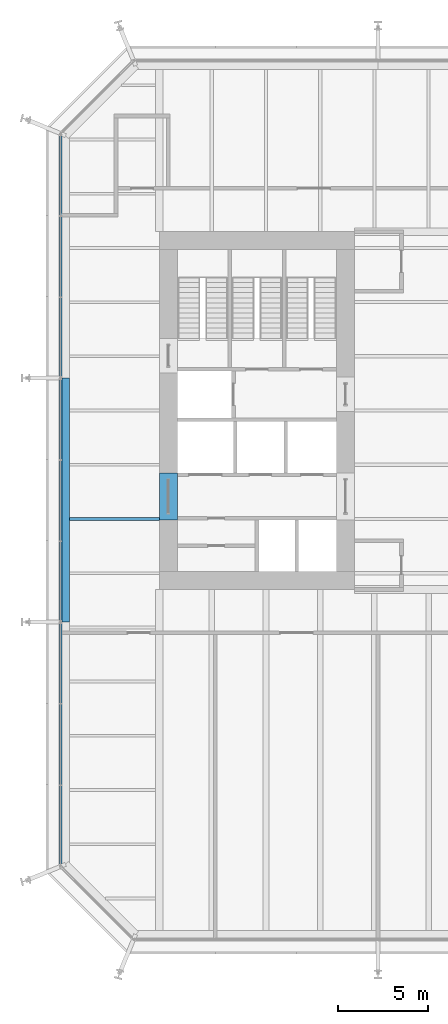
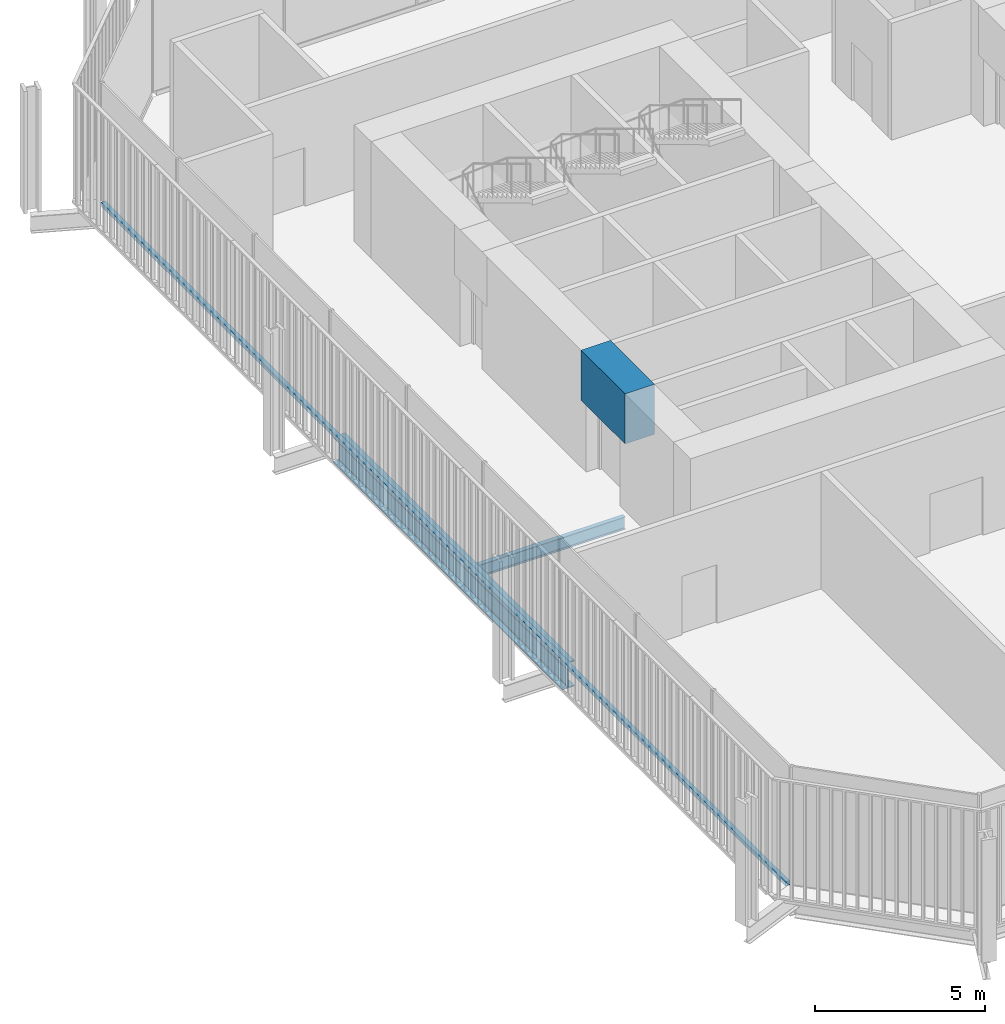
# One storey, part 6 of 20: 3 beams, 1 member, 1 element without a shape of its own.
"""IFC4 building model written with IfcOpenShell, lengths in metres."""

from ifc_helpers import new_model, si_unit, direction, frame, origin, origin_2d, place, context, subcontext, project, spatial, rectangle, i_section, extrude, material, layer, layer_set, material_profile, profile_set, type_object, element, aggregate, save


model = new_model("IFC4")

# Units and contexts
model_context = context("Model", 3, precision=1e-05, world=origin(), true_north=direction((0.0, 1.0)))
body_context = subcontext(model_context, "Body", "Model", "MODEL_VIEW")
ifc_project = project(units=[si_unit("LENGTHUNIT", "METRE"), si_unit("AREAUNIT", "SQUARE_METRE"), si_unit("VOLUMEUNIT", "CUBIC_METRE"), si_unit("PLANEANGLEUNIT", "RADIAN"), si_unit("MASSUNIT", "GRAM", prefix="KILO")], contexts=[model_context])

# Site, building, storey
site_placement = place(None, origin())
site = spatial("IfcSite", under=ifc_project, at=site_placement, CompositionType="ELEMENT")
building_placement = place(site_placement, origin())
building = spatial("IfcBuilding", under=site, at=building_placement, Name="Millrace Tower", CompositionType="ELEMENT")
storey_placement = place(building_placement, frame((0.0, 0.0, 99.60009765625)))
storey = spatial("IfcBuildingStorey", under=building, at=storey_placement, Name="L22", CompositionType="ELEMENT", Elevation=99.60009765625)

# Curtain wall, member
ifc_material_1 = material(Name="Aluminium and glass", Category="aluminium")
ifc_layer = layer(ifc_material_1, 0.14990234375)
ifc_layer_set = layer_set([ifc_layer], Name="Aluminium and glass")
curtain_wall_type = type_object("IfcCurtainWallType", Name="CW-3 telecom floor curtain wall", PredefinedType="NOTDEFINED", material=ifc_layer_set)
curtain_wall_placement = place(storey_placement, origin())
curtain_wall = element("IfcCurtainWall", 1, at=curtain_wall_placement, inside=storey, type_object=curtain_wall_type, Name="Curtain wall B-F08 L22", PredefinedType="NOTDEFINED")
ifc_material_2 = material(Name="Aluminium", Category="aluminium")
ifc_material_profile_1 = material_profile(ifc_material_2, rectangle(XDim=0.14990234375, YDim=0.14990234375, at=origin_2d()))
ifc_profile_set_1 = profile_set([ifc_material_profile_1], Name="Aluminium")
member_type = type_object("IfcMemberType", Name="CW-3 telecom floor curtain wall transom", PredefinedType="USERDEFINED", material=ifc_profile_set_1)
member_placement = place(storey_placement, frame((-20.375, 15.199951171875, 0.074951171875), z_axis=(0.0, -1.0, 0.0), x_axis=(1.0, 0.0, 0.0)))
member = element("IfcMember", 2, at=member_placement, type_object=member_type, Name="CW3 transom B-F08.1", ObjectType="TRANSOM", PredefinedType="USERDEFINED", context=body_context, shape_type="SweptSolid", body=[
    extrude(rectangle(XDim=0.14990234375, YDim=0.14990234375, at=origin_2d()), origin(), (0.0, 0.0, 1.0), 40.300048828125),
])
aggregate(curtain_wall, [member])

# Beams
ifc_material_3 = material(Name="Concrete C80", Category="concrete")
ifc_material_profile_2 = material_profile(ifc_material_3, rectangle(XDim=1.0, YDim=1.800048828125, at=origin_2d()))
ifc_profile_set_2 = profile_set([ifc_material_profile_2], Name="Concrete C80")
beam_type_1 = type_object("IfcBeamType", Name="Coupling beam 1000 x 1800 Concrete C80, 2000 opening", PredefinedType="BEAM", material=ifc_profile_set_2)
beam_1_placement = place(storey_placement, frame((-14.39990234375, -6.050048828125, 3.2998046875), z_axis=(0.0, 1.0, 0.0), x_axis=(-1.0, 0.0, 0.0)))
element("IfcBeam", 3, at=beam_1_placement, inside=storey, type_object=beam_type_1, Name="Coupling beam W L22", PredefinedType="BEAM", context=body_context, shape_type="SweptSolid", body=[
    extrude(rectangle(XDim=1.0, YDim=1.800048828125, at=origin_2d()), origin(), (0.0, 0.0, 1.0), 2.60009765625),
])
ifc_material_4 = material(Name="Steel ASTM A992 Grade 50", Category="steel")
ifc_material_profile_3 = material_profile(ifc_material_4, i_section(OverallWidth=0.15234375, OverallDepth=0.449462890625, WebThickness=0.007568359375, FlangeThickness=0.0107421875, FilletRadius=0.01025390625, at=origin_2d()))
ifc_profile_set_3 = profile_set([ifc_material_profile_3], Name="Steel ASTM A992 Grade 50")
beam_type_2 = type_object("IfcBeamType", Name="Floor beam W18x35", PredefinedType="JOIST", material=ifc_profile_set_3)
beam_2_placement = place(storey_placement, frame((-19.880859375, -6.0, -0.4248046875), z_axis=(1.0, 0.0, 0.0), x_axis=(0.0, 1.0, 0.0)))
element("IfcBeam", 4, at=beam_2_placement, inside=storey, type_object=beam_type_2, Name="BM-B-L22-S1-S017", PredefinedType="JOIST", context=body_context, shape_type="SweptSolid", body=[
    extrude(i_section(OverallWidth=0.15234375, OverallDepth=0.449462890625, WebThickness=0.007568359375, FlangeThickness=0.0107421875, FilletRadius=0.01025390625, at=origin_2d()), origin(), (0.0, 0.0, 1.0), 4.98095703125),
])
ifc_material_5 = material(Name="Steel ASTM A992 Grade 50", Category="steel")
ifc_material_profile_4 = material_profile(ifc_material_5, i_section(OverallWidth=0.419189453125, OverallDepth=0.927001953125, WebThickness=0.019287109375, FlangeThickness=0.031982421875, FilletRadius=0.024169921875, at=origin_2d()))
ifc_profile_set_4 = profile_set([ifc_material_profile_4], Name="Steel ASTM A992 Grade 50")
beam_type_3 = type_object("IfcBeamType", Name="Ring beam medium span W36x231", PredefinedType="SPANDREL", material=ifc_profile_set_4)
beam_3_placement = place(storey_placement, frame((-20.09033203125, -11.699951171875, -0.66357421875), z_axis=(0.0, 1.0, 0.0), x_axis=(-1.0, 0.0, 0.0)))
element("IfcBeam", 5, at=beam_3_placement, inside=storey, type_object=beam_type_3, Name="RNG-B-L22-S1-02", PredefinedType="SPANDREL", context=body_context, shape_type="SweptSolid", body=[
    extrude(i_section(OverallWidth=0.419189453125, OverallDepth=0.927001953125, WebThickness=0.019287109375, FlangeThickness=0.031982421875, FilletRadius=0.024169921875, at=origin_2d()), origin(), (0.0, 0.0, 1.0), 13.5),
])

save(model, "model.ifc")
